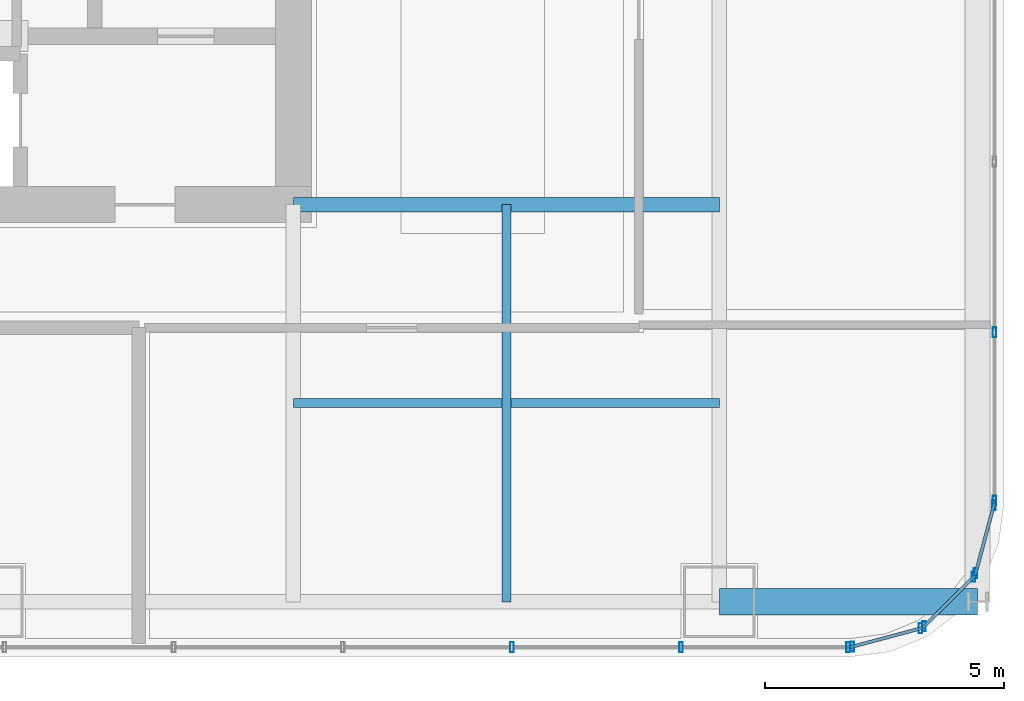
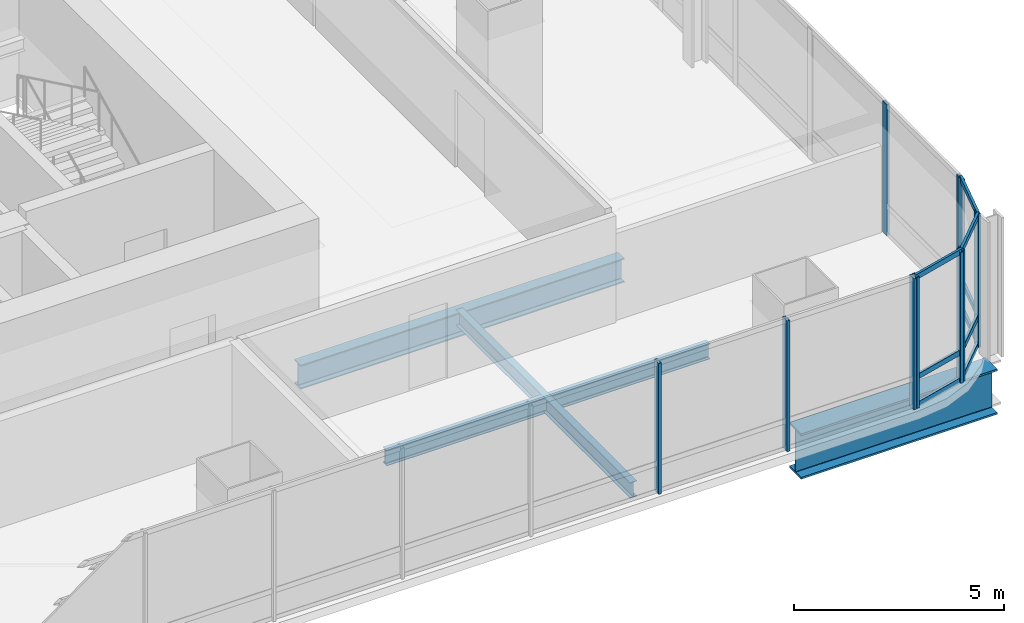
# One storey, part 13 of 34: 20 members, 4 beams, 5 elements without a shape of their own.
"""IFC4 building model written with IfcOpenShell, lengths in metres."""

from ifc_helpers import new_model, si_unit, direction, frame, origin, origin_2d, place, context, subcontext, project, spatial, hollow_rectangle, i_section, extrude, material, material_profile, profile_set, type_object, element, aggregate, save


model = new_model("IFC4")

# Units and contexts
model_context = context("Model", 3, precision=1e-05, world=origin(), true_north=direction((0.0, 1.0)))
body_context = subcontext(model_context, "Body", "Model", "MODEL_VIEW")
ifc_project = project(units=[si_unit("LENGTHUNIT", "METRE"), si_unit("AREAUNIT", "SQUARE_METRE"), si_unit("VOLUMEUNIT", "CUBIC_METRE"), si_unit("PLANEANGLEUNIT", "RADIAN"), si_unit("MASSUNIT", "GRAM", prefix="KILO")], contexts=[model_context])

# Site, building, storey
site_placement = place(None, origin())
site = spatial("IfcSite", under=ifc_project, at=site_placement, CompositionType="ELEMENT")
building_placement = place(site_placement, origin())
building = spatial("IfcBuilding", under=site, at=building_placement, Name="Punatoya Terracotta Tower", CompositionType="ELEMENT")
storey_placement = place(building_placement, frame((0.0, 0.0, 101.10009765625)))
storey = spatial("IfcBuildingStorey", under=building, at=storey_placement, Name="L23", CompositionType="ELEMENT", Elevation=101.10009765625)

# Beams
ifc_material_1 = material(Name="Steel S355", Category="steel")
ifc_material_profile_1 = material_profile(ifc_material_1, i_section(OverallWidth=0.300048828125, OverallDepth=0.699951171875, WebThickness=0.01708984375, FlangeThickness=0.031982421875, FilletRadius=0.01806640625, at=origin_2d()))
ifc_profile_set_1 = profile_set([ifc_material_profile_1], Name="Steel S355")
beam_type_1 = type_object("IfcBeamType", Name="BM-PRI-700", PredefinedType="BEAM", material=ifc_profile_set_1)
beam_1_placement = place(storey_placement, frame((10.199951171875, -9.199951171875, -0.590087890625), z_axis=(1.0, 0.0, 0.0), x_axis=(0.0, 1.0, 0.0)))
element("IfcBeam", 1, at=beam_1_placement, inside=storey, type_object=beam_type_1, Name="BM-L23-PR-ES", PredefinedType="BEAM", context=body_context, shape_type="SweptSolid", body=[
    extrude(i_section(OverallWidth=0.300048828125, OverallDepth=0.699951171875, WebThickness=0.01708984375, FlangeThickness=0.031982421875, FilletRadius=0.01806640625, at=origin_2d()), origin(), (0.0, 0.0, 1.0), 8.900146484375),
])
ifc_material_profile_2 = material_profile(ifc_material_1, i_section(OverallWidth=0.18994140625, OverallDepth=0.449951171875, WebThickness=0.009521484375, FlangeThickness=0.0146484375, FilletRadius=0.01806640625, at=origin_2d()))
ifc_profile_set_2 = profile_set([ifc_material_profile_2], Name="Steel S355")
beam_type_2 = type_object("IfcBeamType", Name="BM-SEC-450", PredefinedType="JOIST", material=ifc_profile_set_2)
beam_2_placement = place(storey_placement, frame((10.199951171875, -13.35009765625, -0.465087890625), z_axis=(1.0, 0.0, 0.0), x_axis=(0.0, 1.0, 0.0)))
element("IfcBeam", 2, at=beam_2_placement, inside=storey, type_object=beam_type_2, Name="BM-L23-SJS-2", PredefinedType="JOIST", context=body_context, shape_type="SweptSolid", body=[
    extrude(i_section(OverallWidth=0.18994140625, OverallDepth=0.449951171875, WebThickness=0.009521484375, FlangeThickness=0.0146484375, FilletRadius=0.01806640625, at=origin_2d()), origin(), (0.0, 0.0, 1.0), 8.900146484375),
])
beam_3_placement = place(storey_placement, frame((14.64990234375, -17.5, -0.465087890625), z_axis=(0.0, 1.0, 0.0), x_axis=(-1.0, 0.0, 0.0)))
element("IfcBeam", 3, at=beam_3_placement, inside=storey, type_object=beam_type_2, Name="BM-L23-SJE-1", PredefinedType="JOIST", context=body_context, shape_type="SweptSolid", body=[
    extrude(i_section(OverallWidth=0.18994140625, OverallDepth=0.449951171875, WebThickness=0.009521484375, FlangeThickness=0.0146484375, FilletRadius=0.01806640625, at=origin_2d()), origin(), (0.0, 0.0, 1.0), 8.300048828125),
])
ifc_material_2 = material(Name="Steel S460", Category="steel")
ifc_material_profile_3 = material_profile(ifc_material_2, i_section(OverallWidth=0.56005859375, OverallDepth=1.320068359375, WebThickness=0.035888671875, FlangeThickness=0.054931640625, FilletRadius=0.01806640625, at=origin_2d()))
ifc_profile_set_3 = profile_set([ifc_material_profile_3], Name="Steel S460")
beam_type_3 = type_object("IfcBeamType", Name="BM-TG-BLK", PredefinedType="BEAM", material=ifc_profile_set_3)
beam_4_placement = place(storey_placement, frame((19.10009765625, -17.5, -0.900146484375), z_axis=(1.0, 0.0, 0.0), x_axis=(0.0, 1.0, 0.0)))
element("IfcBeam", 4, at=beam_4_placement, inside=storey, type_object=beam_type_3, Name="BM-L23-CANT-E1", PredefinedType="BEAM", context=body_context, shape_type="SweptSolid", body=[
    extrude(i_section(OverallWidth=0.56005859375, OverallDepth=1.320068359375, WebThickness=0.035888671875, FlangeThickness=0.054931640625, FilletRadius=0.01806640625, at=origin_2d()), origin(), (0.0, 0.0, 1.0), 5.39990234375),
])

# Curtain wall, members
ifc_material_3 = material(Name="Aluminium 6063-T6 + Double Low-E Glass", Category="aluminium")
curtain_wall_type = type_object("IfcCurtainWallType", Name="CW-M1", PredefinedType="NOTDEFINED", material=ifc_material_3)
curtain_wall_1_placement = place(storey_placement, origin())
curtain_wall_1 = element("IfcCurtainWall", 5, at=curtain_wall_1_placement, inside=storey, type_object=curtain_wall_type, Name="L23 Curtain Wall CW-L23-S01-1", PredefinedType="NOTDEFINED")
ifc_material_4 = material(Name="Aluminium 6063-T6", Category="aluminium")
ifc_material_profile_4 = material_profile(ifc_material_4, hollow_rectangle(XDim=0.074951171875, YDim=0.2099609375, WallThickness=0.00439453125, at=origin_2d()))
ifc_profile_set_4 = profile_set([ifc_material_profile_4], Name="Aluminium 6063-T6")
member_type_1 = type_object("IfcMemberType", Name="CW-MUL-M1", PredefinedType="MULLION", material=ifc_profile_set_4)
member_1_placement = place(storey_placement, frame((14.768798828125, -18.449951171875, 0.0), z_axis=(0.0, 0.0, 1.0), x_axis=(1.0, 0.0, 0.0)))
member_1 = element("IfcMember", 6, at=member_1_placement, type_object=member_type_1, Name="CW-L23-S01-1 Mullion 09", PredefinedType="MULLION", context=body_context, shape_type="SweptSolid", body=[
    extrude(hollow_rectangle(XDim=0.074951171875, YDim=0.2099609375, WallThickness=0.00439453125, at=origin_2d()), origin(), (0.0, 0.0, 1.0), 3.809814453125),
])
member_2_placement = place(storey_placement, frame((18.302978515625, -18.449951171875, 0.0), z_axis=(0.0, 0.0, 1.0), x_axis=(1.0, 0.0, 0.0)))
member_2 = element("IfcMember", 7, at=member_2_placement, type_object=member_type_1, Name="CW-L23-S01-1 Mullion 10", PredefinedType="MULLION", context=body_context, shape_type="SweptSolid", body=[
    extrude(hollow_rectangle(XDim=0.074951171875, YDim=0.2099609375, WallThickness=0.00439453125, at=origin_2d()), origin(), (0.0, 0.0, 1.0), 3.809814453125),
])
member_3_placement = place(storey_placement, frame((21.7919921875, -18.449951171875, 0.0), z_axis=(0.0, 0.0, 1.0), x_axis=(1.0, 0.0, 0.0)))
member_3 = element("IfcMember", 8, at=member_3_placement, type_object=member_type_1, Name="CW-L23-S01-1 Mullion 11", PredefinedType="MULLION", context=body_context, shape_type="SweptSolid", body=[
    extrude(hollow_rectangle(XDim=0.074951171875, YDim=0.2099609375, WallThickness=0.00439453125, at=origin_2d()), origin(), (0.0, 0.0, 1.0), 3.809814453125),
])
aggregate(curtain_wall_1, [member_1, member_2, member_3])

curtain_wall_2_placement = place(storey_placement, origin())
curtain_wall_2 = element("IfcCurtainWall", 9, at=curtain_wall_2_placement, inside=storey, type_object=curtain_wall_type, Name="L23 Curtain Wall CW-L23-CRN02", PredefinedType="NOTDEFINED")
member_4_placement = place(storey_placement, frame((21.88037109375, -18.4384765625, 0.0), z_axis=(0.0, 0.0, 1.0), x_axis=(1.0, 0.0, 0.0)))
member_4 = element("IfcMember", 10, at=member_4_placement, type_object=member_type_1, Name="CW-L23-CRN02 Mullion 00", PredefinedType="MULLION", context=body_context, shape_type="SweptSolid", body=[
    extrude(hollow_rectangle(XDim=0.074951171875, YDim=0.2099609375, WallThickness=0.00439453125, at=origin_2d()), origin(), (0.0, 0.0, 1.0), 3.809814453125),
])
member_5_placement = place(storey_placement, frame((23.3056640625, -18.05810546875, 0.0), z_axis=(0.0, 0.0, 1.0), x_axis=(1.0, 0.0, 0.0)))
member_5 = element("IfcMember", 11, at=member_5_placement, type_object=member_type_1, Name="CW-L23-CRN02 Mullion 01", PredefinedType="MULLION", context=body_context, shape_type="SweptSolid", body=[
    extrude(hollow_rectangle(XDim=0.074951171875, YDim=0.2099609375, WallThickness=0.00439453125, at=origin_2d()), origin(), (0.0, 0.0, 1.0), 3.809814453125),
])

curtain_wall_3_placement = place(storey_placement, origin())
curtain_wall_3 = element("IfcCurtainWall", 12, at=curtain_wall_3_placement, inside=storey, type_object=curtain_wall_type, Name="L23 Curtain Wall CW-L23-CRN03", PredefinedType="NOTDEFINED")
member_6_placement = place(storey_placement, frame((23.380859375, -18.014892578125, 0.0), z_axis=(0.0, 0.0, 1.0), x_axis=(1.0, 0.0, 0.0)))
member_6 = element("IfcMember", 13, at=member_6_placement, type_object=member_type_1, Name="CW-L23-CRN03 Mullion 00", PredefinedType="MULLION", context=body_context, shape_type="SweptSolid", body=[
    extrude(hollow_rectangle(XDim=0.074951171875, YDim=0.2099609375, WallThickness=0.00439453125, at=origin_2d()), origin(), (0.0, 0.0, 1.0), 3.809814453125),
])
member_7_placement = place(storey_placement, frame((24.414794921875, -16.98095703125, 0.0), z_axis=(0.0, 0.0, 1.0), x_axis=(1.0, 0.0, 0.0)))
member_7 = element("IfcMember", 14, at=member_7_placement, type_object=member_type_1, Name="CW-L23-CRN03 Mullion 01", PredefinedType="MULLION", context=body_context, shape_type="SweptSolid", body=[
    extrude(hollow_rectangle(XDim=0.074951171875, YDim=0.2099609375, WallThickness=0.00439453125, at=origin_2d()), origin(), (0.0, 0.0, 1.0), 3.809814453125),
])

curtain_wall_4_placement = place(storey_placement, origin())
curtain_wall_4 = element("IfcCurtainWall", 15, at=curtain_wall_4_placement, inside=storey, type_object=curtain_wall_type, Name="L23 Curtain Wall CW-L23-CRN04", PredefinedType="NOTDEFINED")
member_8_placement = place(storey_placement, frame((24.458251953125, -16.905517578125, 0.0), z_axis=(0.0, 0.0, 1.0), x_axis=(1.0, 0.0, 0.0)))
member_8 = element("IfcMember", 16, at=member_8_placement, type_object=member_type_1, Name="CW-L23-CRN04 Mullion 00", PredefinedType="MULLION", context=body_context, shape_type="SweptSolid", body=[
    extrude(hollow_rectangle(XDim=0.074951171875, YDim=0.2099609375, WallThickness=0.00439453125, at=origin_2d()), origin(), (0.0, 0.0, 1.0), 3.809814453125),
])
member_9_placement = place(storey_placement, frame((24.83837890625, -15.48046875, 0.0), z_axis=(0.0, 0.0, 1.0), x_axis=(1.0, 0.0, 0.0)))
member_9 = element("IfcMember", 17, at=member_9_placement, type_object=member_type_1, Name="CW-L23-CRN04 Mullion 01", PredefinedType="MULLION", context=body_context, shape_type="SweptSolid", body=[
    extrude(hollow_rectangle(XDim=0.074951171875, YDim=0.2099609375, WallThickness=0.00439453125, at=origin_2d()), origin(), (0.0, 0.0, 1.0), 3.809814453125),
])

curtain_wall_5_placement = place(storey_placement, origin())
curtain_wall_5 = element("IfcCurtainWall", 18, at=curtain_wall_5_placement, inside=storey, type_object=curtain_wall_type, Name="L23 Curtain Wall CW-L23-E05-1", PredefinedType="NOTDEFINED")
member_10_placement = place(storey_placement, frame((24.85009765625, -15.391845703125, 0.0), z_axis=(0.0, 0.0, 1.0), x_axis=(1.0, 0.0, 0.0)))
member_10 = element("IfcMember", 19, at=member_10_placement, type_object=member_type_1, Name="CW-L23-E05-1 Mullion 00", PredefinedType="MULLION", context=body_context, shape_type="SweptSolid", body=[
    extrude(hollow_rectangle(XDim=0.074951171875, YDim=0.2099609375, WallThickness=0.00439453125, at=origin_2d()), origin(), (0.0, 0.0, 1.0), 3.809814453125),
])
member_11_placement = place(storey_placement, frame((24.85009765625, -11.869384765625, 0.0), z_axis=(0.0, 0.0, 1.0), x_axis=(1.0, 0.0, 0.0)))
member_11 = element("IfcMember", 20, at=member_11_placement, type_object=member_type_1, Name="CW-L23-E05-1 Mullion 01", PredefinedType="MULLION", context=body_context, shape_type="SweptSolid", body=[
    extrude(hollow_rectangle(XDim=0.074951171875, YDim=0.2099609375, WallThickness=0.00439453125, at=origin_2d()), origin(), (0.0, 0.0, 1.0), 3.809814453125),
])
aggregate(curtain_wall_5, [member_10, member_11])

# Member
ifc_material_profile_5 = material_profile(ifc_material_4, hollow_rectangle(XDim=0.068115234375, YDim=0.14990234375, WallThickness=0.00390625, at=origin_2d()))
ifc_profile_set_5 = profile_set([ifc_material_profile_5], Name="Aluminium 6063-T6")
member_type_2 = type_object("IfcMemberType", Name="CW-TRN-TYP", PredefinedType="USERDEFINED", material=ifc_profile_set_5)
member_12_placement = place(storey_placement, frame((21.8369140625, -18.449951171875, 0.039794921875), z_axis=(0.966224582397, 0.257701486942, 0.0), x_axis=(-0.257701486942, 0.966224582397, 0.0)))
member_12 = element("IfcMember", 21, at=member_12_placement, type_object=member_type_2, Name="CW-L23-CRN02 Transom 1", ObjectType="TRANSOM", PredefinedType="USERDEFINED", context=body_context, shape_type="SweptSolid", body=[
    extrude(hollow_rectangle(XDim=0.068115234375, YDim=0.14990234375, WallThickness=0.00390625, at=origin_2d()), origin(), (0.0, 0.0, 1.0), 1.565185546875),
])

member_13_placement = place(storey_placement, frame((21.8369140625, -18.449951171875, 0.849853515625), z_axis=(0.966224582397, 0.257701486942, 0.0), x_axis=(-0.257701486942, 0.966224582397, 0.0)))
member_13 = element("IfcMember", 22, at=member_13_placement, type_object=member_type_2, Name="CW-L23-CRN02 Transom 2", ObjectType="TRANSOM", PredefinedType="USERDEFINED", context=body_context, shape_type="SweptSolid", body=[
    extrude(hollow_rectangle(XDim=0.068115234375, YDim=0.14990234375, WallThickness=0.00390625, at=origin_2d()), origin(), (0.0, 0.0, 1.0), 1.565185546875),
])

member_14_placement = place(storey_placement, frame((21.8369140625, -18.449951171875, 3.77001953125), z_axis=(0.966224582397, 0.257701486942, 0.0), x_axis=(-0.257701486942, 0.966224582397, 0.0)))
member_14 = element("IfcMember", 23, at=member_14_placement, type_object=member_type_2, Name="CW-L23-CRN02 Transom 3", ObjectType="TRANSOM", PredefinedType="USERDEFINED", context=body_context, shape_type="SweptSolid", body=[
    extrude(hollow_rectangle(XDim=0.068115234375, YDim=0.14990234375, WallThickness=0.00390625, at=origin_2d()), origin(), (0.0, 0.0, 1.0), 1.565185546875),
])

aggregate(curtain_wall_2, [member_4, member_5, member_12, member_13, member_14])

member_15_placement = place(storey_placement, frame((23.34912109375, -18.046630859375, 0.039794921875), z_axis=(0.707106781187, 0.707106781187, 0.0), x_axis=(-0.707106781187, 0.707106781187, 0.0)))
member_15 = element("IfcMember", 24, at=member_15_placement, type_object=member_type_2, Name="CW-L23-CRN03 Transom 1", ObjectType="TRANSOM", PredefinedType="USERDEFINED", context=body_context, shape_type="SweptSolid", body=[
    extrude(hollow_rectangle(XDim=0.068115234375, YDim=0.14990234375, WallThickness=0.00390625, at=origin_2d()), origin(), (0.0, 0.0, 1.0), 1.552001953125),
])

member_16_placement = place(storey_placement, frame((23.34912109375, -18.046630859375, 0.849853515625), z_axis=(0.707106781187, 0.707106781187, 0.0), x_axis=(-0.707106781187, 0.707106781187, 0.0)))
member_16 = element("IfcMember", 25, at=member_16_placement, type_object=member_type_2, Name="CW-L23-CRN03 Transom 2", ObjectType="TRANSOM", PredefinedType="USERDEFINED", context=body_context, shape_type="SweptSolid", body=[
    extrude(hollow_rectangle(XDim=0.068115234375, YDim=0.14990234375, WallThickness=0.00390625, at=origin_2d()), origin(), (0.0, 0.0, 1.0), 1.552001953125),
])

member_17_placement = place(storey_placement, frame((23.34912109375, -18.046630859375, 3.77001953125), z_axis=(0.707106781187, 0.707106781187, 0.0), x_axis=(-0.707106781187, 0.707106781187, 0.0)))
member_17 = element("IfcMember", 26, at=member_17_placement, type_object=member_type_2, Name="CW-L23-CRN03 Transom 3", ObjectType="TRANSOM", PredefinedType="USERDEFINED", context=body_context, shape_type="SweptSolid", body=[
    extrude(hollow_rectangle(XDim=0.068115234375, YDim=0.14990234375, WallThickness=0.00390625, at=origin_2d()), origin(), (0.0, 0.0, 1.0), 1.552001953125),
])

aggregate(curtain_wall_3, [member_6, member_7, member_15, member_16, member_17])

member_18_placement = place(storey_placement, frame((24.446533203125, -16.94921875, 0.039794921875), z_axis=(0.257847112249, 0.966185730957, 0.0), x_axis=(-0.966185730957, 0.257847112249, 0.0)))
member_18 = element("IfcMember", 27, at=member_18_placement, type_object=member_type_2, Name="CW-L23-CRN04 Transom 1", ObjectType="TRANSOM", PredefinedType="USERDEFINED", context=body_context, shape_type="SweptSolid", body=[
    extrude(hollow_rectangle(XDim=0.068115234375, YDim=0.14990234375, WallThickness=0.00390625, at=origin_2d()), origin(), (0.0, 0.0, 1.0), 1.565185546875),
])

member_19_placement = place(storey_placement, frame((24.446533203125, -16.94921875, 0.849853515625), z_axis=(0.257847112249, 0.966185730957, 0.0), x_axis=(-0.966185730957, 0.257847112249, 0.0)))
member_19 = element("IfcMember", 28, at=member_19_placement, type_object=member_type_2, Name="CW-L23-CRN04 Transom 2", ObjectType="TRANSOM", PredefinedType="USERDEFINED", context=body_context, shape_type="SweptSolid", body=[
    extrude(hollow_rectangle(XDim=0.068115234375, YDim=0.14990234375, WallThickness=0.00390625, at=origin_2d()), origin(), (0.0, 0.0, 1.0), 1.565185546875),
])

member_20_placement = place(storey_placement, frame((24.446533203125, -16.94921875, 3.77001953125), z_axis=(0.257847112249, 0.966185730957, 0.0), x_axis=(-0.966185730957, 0.257847112249, 0.0)))
member_20 = element("IfcMember", 29, at=member_20_placement, type_object=member_type_2, Name="CW-L23-CRN04 Transom 3", ObjectType="TRANSOM", PredefinedType="USERDEFINED", context=body_context, shape_type="SweptSolid", body=[
    extrude(hollow_rectangle(XDim=0.068115234375, YDim=0.14990234375, WallThickness=0.00390625, at=origin_2d()), origin(), (0.0, 0.0, 1.0), 1.565185546875),
])

aggregate(curtain_wall_4, [member_8, member_9, member_18, member_19, member_20])

save(model, "model.ifc")
